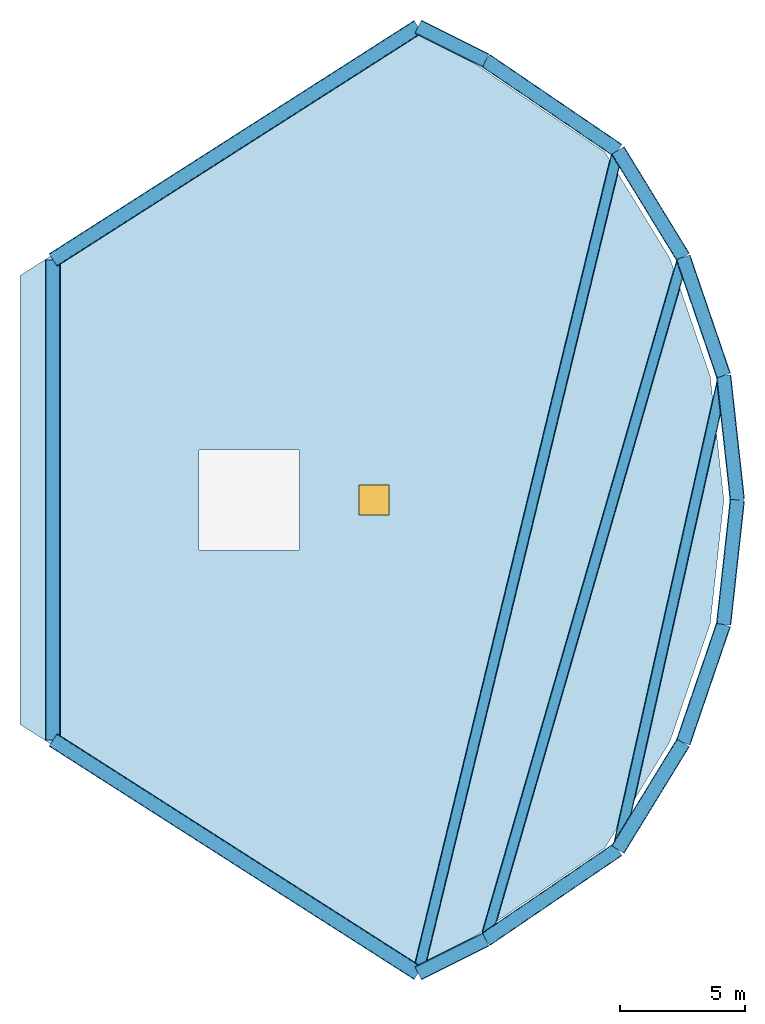
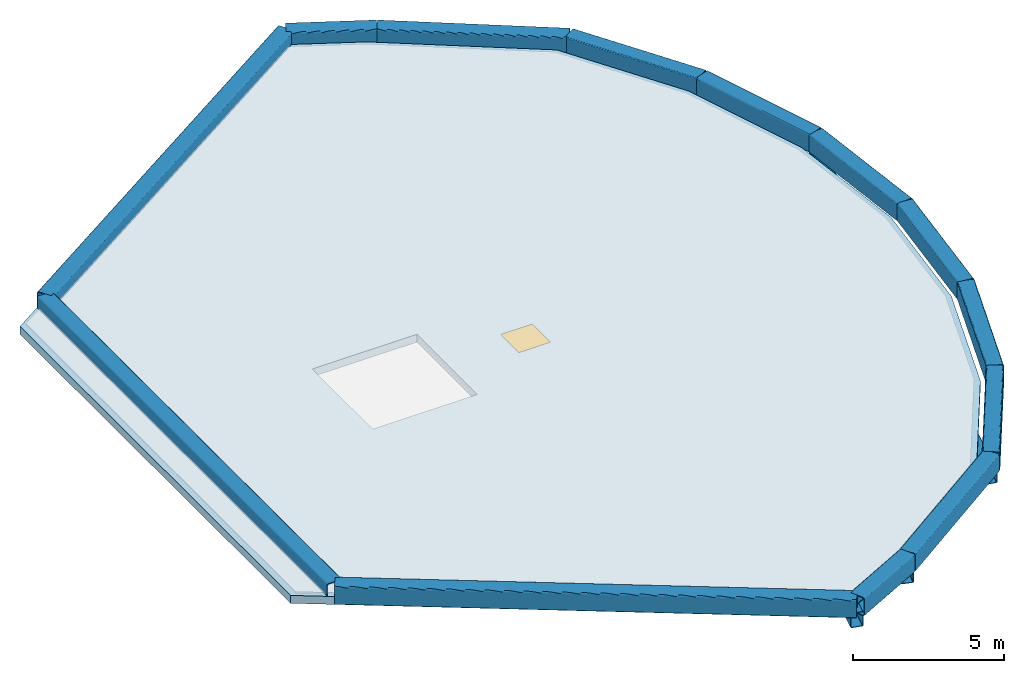
# One storey, part 1 of 2: 16 members, 1 slab, 1 window, 1 opening.
"""IFC4 building model written with IfcOpenShell, lengths in metres."""

from ifc_helpers import new_model, si_unit, direction, frame, origin, origin_2d, place, context, subcontext, project, spatial, polyline, rectangle, hollow_rectangle, outline, extrude, material, layer, layer_set, material_profile, profile_set, type_object, element, fill, save


model = new_model("IFC4")

# Units and contexts
model_context = context("Model", 3, precision=1e-05, world=origin(), true_north=direction((0.0, 1.0)))
body_context = subcontext(model_context, "Body", "Model", "MODEL_VIEW")
ifc_project = project(units=[si_unit("LENGTHUNIT", "METRE"), si_unit("AREAUNIT", "SQUARE_METRE"), si_unit("VOLUMEUNIT", "CUBIC_METRE"), si_unit("PLANEANGLEUNIT", "RADIAN"), si_unit("MASSUNIT", "GRAM", prefix="KILO")], contexts=[model_context])

# Site, building, storey
site_placement = place(None, origin())
site = spatial("IfcSite", under=ifc_project, at=site_placement, CompositionType="ELEMENT")
building_placement = place(site_placement, origin())
building = spatial("IfcBuilding", under=site, at=building_placement, Name="Qorvath Tower", CompositionType="ELEMENT")
storey_placement = place(building_placement, frame((0.0, 0.0, 350.199951171875)))
storey = spatial("IfcBuildingStorey", under=building, at=storey_placement, Name="RF", CompositionType="ELEMENT", Elevation=350.199951171875)

# Members
ifc_material_1 = material(Name="Steel ASTM A572 Grade 50", Category="steel")
ifc_material_profile_1 = material_profile(ifc_material_1, hollow_rectangle(XDim=0.60009765625, YDim=0.75, WallThickness=0.031982421875, InnerFilletRadius=0.031982421875, OuterFilletRadius=0.06396484375, at=origin_2d()), Name="CROWN BOX 750x600x32")
ifc_profile_set_1 = profile_set([ifc_material_profile_1], Name="Steel ASTM A572 Grade 50")
member_type_1 = type_object("IfcMemberType", Name="MEM-CF1", PredefinedType="USERDEFINED", material=ifc_profile_set_1)
member_1_placement = place(storey_placement, frame((-33.828857421875, 9.588134765625, 0.425048828125), z_axis=(0.0, -1.0, 0.0), x_axis=(1.0, 0.0, 0.0)))
element("IfcMember", 1, at=member_1_placement, inside=storey, type_object=member_type_1, Name="CROWN FRAME Top Cap Ring Beam 01", ObjectType="CROWN FRAME", PredefinedType="USERDEFINED", context=body_context, shape_type="SweptSolid", body=[
    extrude(hollow_rectangle(XDim=0.60009765625, YDim=0.75, WallThickness=0.031982421875, InnerFilletRadius=0.031982421875, OuterFilletRadius=0.06396484375, at=origin_2d()), origin(), (0.0, 0.0, 1.0), 19.17626953125),
])
member_2_placement = place(storey_placement, frame((-33.828857421875, -9.588134765625, 0.425048828125), z_axis=(0.842610726586, -0.538523131762, 0.0), x_axis=(0.538523131762, 0.842610726586, 0.0)))
element("IfcMember", 2, at=member_2_placement, inside=storey, type_object=member_type_1, Name="CROWN FRAME Top Cap Ring Beam 02", ObjectType="CROWN FRAME", PredefinedType="USERDEFINED", context=body_context, shape_type="SweptSolid", body=[
    extrude(hollow_rectangle(XDim=0.60009765625, YDim=0.75, WallThickness=0.031982421875, InnerFilletRadius=0.031982421875, OuterFilletRadius=0.06396484375, at=origin_2d()), origin(), (0.0, 0.0, 1.0), 17.304931640625),
])
member_3_placement = place(storey_placement, frame((-19.24755859375, -18.9072265625, 0.425048828125), z_axis=(0.894411021003, 0.447245934032, 0.0), x_axis=(-0.447245934032, 0.894411021003, 0.0)))
element("IfcMember", 3, at=member_3_placement, inside=storey, type_object=member_type_1, Name="CROWN FRAME Top Cap Ring Beam 03", ObjectType="CROWN FRAME", PredefinedType="USERDEFINED", context=body_context, shape_type="SweptSolid", body=[
    extrude(hollow_rectangle(XDim=0.60009765625, YDim=0.75, WallThickness=0.031982421875, InnerFilletRadius=0.031982421875, OuterFilletRadius=0.06396484375, at=origin_2d()), origin(), (0.0, 0.0, 1.0), 3.019775390625),
])
member_4_placement = place(storey_placement, frame((-16.546630859375, -17.556640625, 0.425048828125), z_axis=(0.826676817638, 0.562677029192, 0.0), x_axis=(-0.562677029192, 0.826676817638, 0.0)))
element("IfcMember", 4, at=member_4_placement, inside=storey, type_object=member_type_1, Name="CROWN FRAME Top Cap Ring Beam 04", ObjectType="CROWN FRAME", PredefinedType="USERDEFINED", context=body_context, shape_type="SweptSolid", body=[
    extrude(hollow_rectangle(XDim=0.60009765625, YDim=0.75, WallThickness=0.031982421875, InnerFilletRadius=0.031982421875, OuterFilletRadius=0.06396484375, at=origin_2d()), origin(), (0.0, 0.0, 1.0), 6.385498046875),
])
member_5_placement = place(storey_placement, frame((-11.267822265625, -13.963623046875, 0.425048828125), z_axis=(0.521902293238, 0.853005273321, 0.0), x_axis=(-0.853005273321, 0.521902293238, 0.0)))
element("IfcMember", 5, at=member_5_placement, inside=storey, type_object=member_type_1, Name="CROWN FRAME Top Cap Ring Beam 05", ObjectType="CROWN FRAME", PredefinedType="USERDEFINED", context=body_context, shape_type="SweptSolid", body=[
    extrude(hollow_rectangle(XDim=0.60009765625, YDim=0.75, WallThickness=0.031982421875, InnerFilletRadius=0.031982421875, OuterFilletRadius=0.06396484375, at=origin_2d()), origin(), (0.0, 0.0, 1.0), 4.999267578125),
])
for number, where, z_axis, x_axis, name in (
    (6, (-8.65869140625, -9.69921875, 0.425048828125), (0.32354385955, 0.946213174156, 0.0), (-0.946213174156, 0.32354385955, 0.0), "CROWN FRAME Top Cap Ring Beam 06"),
    (7, (-7.041259765625, -4.968994140625, 0.425048828125), (0.109589943781, 0.993976883143, 0.0), (-0.993976883143, 0.109589943781, 0.0), "CROWN FRAME Top Cap Ring Beam 07"),
    (8, (-6.493408203125, 0.0, 0.425048828125), (-0.109589943781, 0.993976883143, 0.0), (-0.993976883143, -0.109589943781, 0.0), "CROWN FRAME Top Cap Ring Beam 08"),
    (9, (-7.041259765625, 4.968994140625, 0.425048828125), (-0.32354385955, 0.946213174156, 0.0), (-0.946213174156, -0.32354385955, 0.0), "CROWN FRAME Top Cap Ring Beam 09"),
):
    element("IfcMember", number, at=place(storey_placement, frame(where, z_axis=z_axis, x_axis=x_axis)), inside=storey, type_object=member_type_1, Name=name, ObjectType="CROWN FRAME", PredefinedType="USERDEFINED", context=body_context, shape_type="SweptSolid", body=[
        extrude(hollow_rectangle(XDim=0.60009765625, YDim=0.75, WallThickness=0.031982421875, InnerFilletRadius=0.031982421875, OuterFilletRadius=0.06396484375, at=origin_2d()), origin(), (0.0, 0.0, 1.0), 4.9990234375),
    ])
member_6_placement = place(storey_placement, frame((-8.65869140625, 9.69921875, 0.425048828125), z_axis=(-0.521902293238, 0.853005273321, 0.0), x_axis=(-0.853005273321, -0.521902293238, 0.0)))
element("IfcMember", 10, at=member_6_placement, inside=storey, type_object=member_type_1, Name="CROWN FRAME Top Cap Ring Beam 10", ObjectType="CROWN FRAME", PredefinedType="USERDEFINED", context=body_context, shape_type="SweptSolid", body=[
    extrude(hollow_rectangle(XDim=0.60009765625, YDim=0.75, WallThickness=0.031982421875, InnerFilletRadius=0.031982421875, OuterFilletRadius=0.06396484375, at=origin_2d()), origin(), (0.0, 0.0, 1.0), 4.999267578125),
])
member_7_placement = place(storey_placement, frame((-11.267822265625, 13.963623046875, 0.425048828125), z_axis=(-0.826676817638, 0.562677029192, 0.0), x_axis=(-0.562677029192, -0.826676817638, 0.0)))
element("IfcMember", 11, at=member_7_placement, inside=storey, type_object=member_type_1, Name="CROWN FRAME Top Cap Ring Beam 11", ObjectType="CROWN FRAME", PredefinedType="USERDEFINED", context=body_context, shape_type="SweptSolid", body=[
    extrude(hollow_rectangle(XDim=0.60009765625, YDim=0.75, WallThickness=0.031982421875, InnerFilletRadius=0.031982421875, OuterFilletRadius=0.06396484375, at=origin_2d()), origin(), (0.0, 0.0, 1.0), 6.385498046875),
])
member_8_placement = place(storey_placement, frame((-16.546630859375, 17.556640625, 0.425048828125), z_axis=(-0.894411021003, 0.447245934032, 0.0), x_axis=(-0.447245934032, -0.894411021003, 0.0)))
element("IfcMember", 12, at=member_8_placement, inside=storey, type_object=member_type_1, Name="CROWN FRAME Top Cap Ring Beam 12", ObjectType="CROWN FRAME", PredefinedType="USERDEFINED", context=body_context, shape_type="SweptSolid", body=[
    extrude(hollow_rectangle(XDim=0.60009765625, YDim=0.75, WallThickness=0.031982421875, InnerFilletRadius=0.031982421875, OuterFilletRadius=0.06396484375, at=origin_2d()), origin(), (0.0, 0.0, 1.0), 3.019775390625),
])
member_9_placement = place(storey_placement, frame((-19.24755859375, 18.9072265625, 0.425048828125), z_axis=(-0.842610726586, -0.538523131762, 0.0), x_axis=(0.538523131762, -0.842610726586, 0.0)))
element("IfcMember", 13, at=member_9_placement, inside=storey, type_object=member_type_1, Name="CROWN FRAME Top Cap Ring Beam 13", ObjectType="CROWN FRAME", PredefinedType="USERDEFINED", context=body_context, shape_type="SweptSolid", body=[
    extrude(hollow_rectangle(XDim=0.60009765625, YDim=0.75, WallThickness=0.031982421875, InnerFilletRadius=0.031982421875, OuterFilletRadius=0.06396484375, at=origin_2d()), origin(), (0.0, 0.0, 1.0), 17.304931640625),
])
ifc_material_2 = material(Name="Steel ASTM A572 Grade 50", Category="steel")
ifc_material_profile_2 = material_profile(ifc_material_2, hollow_rectangle(XDim=0.449951171875, YDim=0.60009765625, WallThickness=0.02490234375, InnerFilletRadius=0.02490234375, OuterFilletRadius=0.050048828125, at=origin_2d()), Name="CROWN BOX 600x450x25")
ifc_profile_set_2 = profile_set([ifc_material_profile_2], Name="Steel ASTM A572 Grade 50")
member_type_2 = type_object("IfcMemberType", Name="MEM-CF2", PredefinedType="USERDEFINED", material=ifc_profile_set_2)
member_10_placement = place(storey_placement, frame((-19.24755859375, -18.9072265625, -0.199951171875), z_axis=(0.235908431543, 0.971775288802, 0.0), x_axis=(-0.971775288802, 0.235908431543, 0.0)))
element("IfcMember", 14, at=member_10_placement, inside=storey, type_object=member_type_2, Name="CROWN FRAME Roof Cap Tie 03", ObjectType="CROWN FRAME", PredefinedType="USERDEFINED", context=body_context, shape_type="SweptSolid", body=[
    extrude(hollow_rectangle(XDim=0.449951171875, YDim=0.60009765625, WallThickness=0.02490234375, InnerFilletRadius=0.02490234375, OuterFilletRadius=0.050048828125, at=origin_2d()), origin(), (0.0, 0.0, 1.0), 33.82568359375),
])
member_11_placement = place(storey_placement, frame((-16.546630859375, -17.556640625, -0.199951171875), z_axis=(0.277995817226, 0.960582284661, 0.0), x_axis=(-0.960582284661, 0.277995817226, 0.0)))
element("IfcMember", 15, at=member_11_placement, inside=storey, type_object=member_type_2, Name="CROWN FRAME Roof Cap Tie 04", ObjectType="CROWN FRAME", PredefinedType="USERDEFINED", context=body_context, shape_type="SweptSolid", body=[
    extrude(hollow_rectangle(XDim=0.449951171875, YDim=0.60009765625, WallThickness=0.02490234375, InnerFilletRadius=0.02490234375, OuterFilletRadius=0.050048828125, at=origin_2d()), origin(), (0.0, 0.0, 1.0), 28.374267578125),
])
member_12_placement = place(storey_placement, frame((-11.267822265625, -13.963623046875, -0.199951171875), z_axis=(0.217879149521, 0.975975755951, 0.0), x_axis=(-0.975975755951, 0.217879149521, 0.0)))
element("IfcMember", 16, at=member_12_placement, inside=storey, type_object=member_type_2, Name="CROWN FRAME Roof Cap Tie 05", ObjectType="CROWN FRAME", PredefinedType="USERDEFINED", context=body_context, shape_type="SweptSolid", body=[
    extrude(hollow_rectangle(XDim=0.449951171875, YDim=0.60009765625, WallThickness=0.02490234375, InnerFilletRadius=0.02490234375, OuterFilletRadius=0.050048828125, at=origin_2d()), origin(), (0.0, 0.0, 1.0), 19.398681640625),
])

# Slab, opening, window
ifc_material_3 = material(Name="Concrete C45/55", Category="concrete")
ifc_layer = layer(ifc_material_3, 0.320068359375)
ifc_layer_set = layer_set([ifc_layer], Name="SL-RF-CAP-320")
slab_type = type_object("IfcSlabType", Name="SL-RF-CAP-320", PredefinedType="ROOF", material=ifc_layer_set)
slab_placement = place(storey_placement, origin())
slab = element("IfcSlab", 17, at=slab_placement, inside=storey, type_object=slab_type, Name="Tower Crown Acoustic Cap Roof Slab", PredefinedType="ROOF", context=body_context, shape_type="SweptSolid", body=[
    extrude(outline(polyline([(-35.14990234375, 8.962158203125), (-35.14990234375, -8.962158203125), (-19.726806640625, -18.819580078125), (-17.038330078125, -17.475341796875), (-11.783935546875, -13.898681640625), (-9.18701171875, -9.654296875), (-7.5771484375, -4.94580078125), (-7.03173828125, 0.0), (-7.5771484375, 4.94580078125), (-9.18701171875, 9.654296875), (-11.783935546875, 13.898681640625), (-17.038330078125, 17.475341796875), (-19.726806640625, 18.819580078125), (-35.14990234375, 8.962158203125)]), holes=[polyline([(-28.0, 2.0), (-24.0, 2.0), (-24.0, -2.0), (-28.0, -2.0), (-28.0, 2.0)])]), origin(), (0.0, 0.0, 1.0), 0.320068359375),
])
opening_placement = place(slab_placement, frame((-21.0, 0.0, 0.0)))
opening = element("IfcOpeningElement", 18, at=opening_placement, cuts=slab, Name="Opening RH-1", PredefinedType="OPENING", context=body_context, shape_type="SweptSolid", body=[
    extrude(rectangle(XDim=1.199951171875, YDim=1.199951171875, at=origin_2d()), origin(), (0.0, 0.0, 1.0), 0.320068359375),
])
ifc_material_4 = material(Name="Thermally broken aluminium and triple low-E glass", Category="aluminium")
window_type = type_object("IfcWindowType", Name="RH-1", PartitioningType="SINGLE_PANEL", PredefinedType="SKYLIGHT", material=ifc_material_4)
window_placement = place(opening_placement, frame((0.0, 0.0, 0.27001953125)))
window = element("IfcWindow", 19, at=window_placement, inside=storey, type_object=window_type, Name="Crown Roof Maintenance Access Hatch RH-1", OverallHeight=1.199951171875, OverallWidth=1.199951171875, PartitioningType="SINGLE_PANEL", PredefinedType="SKYLIGHT", context=body_context, shape_type="SweptSolid", body=[
    extrude(rectangle(XDim=1.199951171875, YDim=1.199951171875, at=origin_2d()), origin(), (0.0, 0.0, 1.0), 0.050048828125),
])
fill(opening, window)

save(model, "model.ifc")
